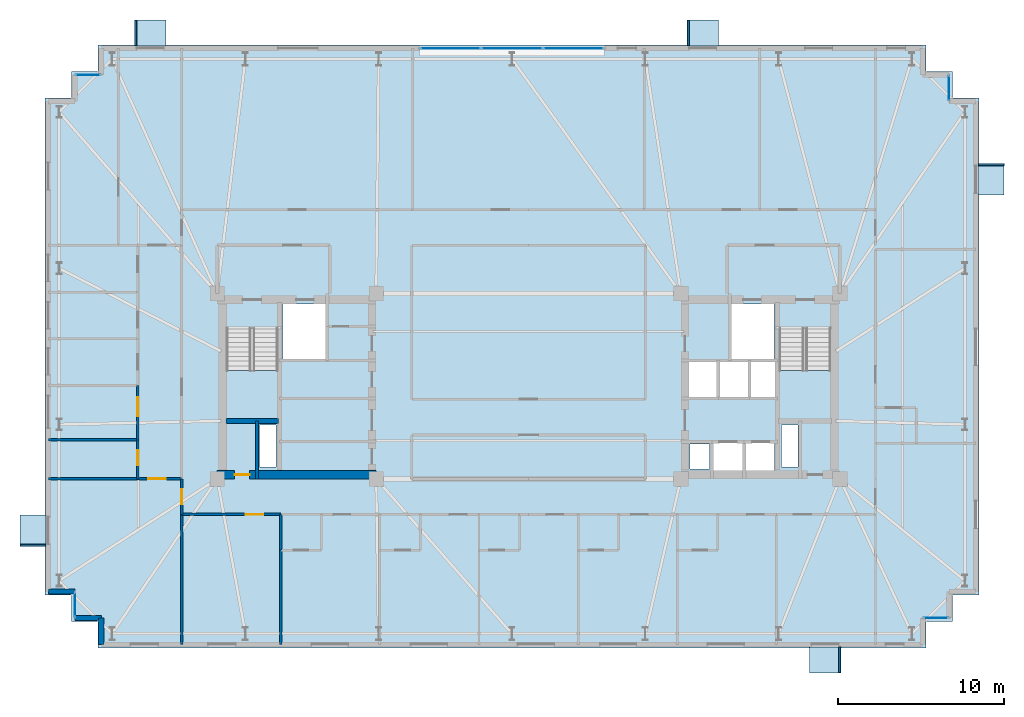
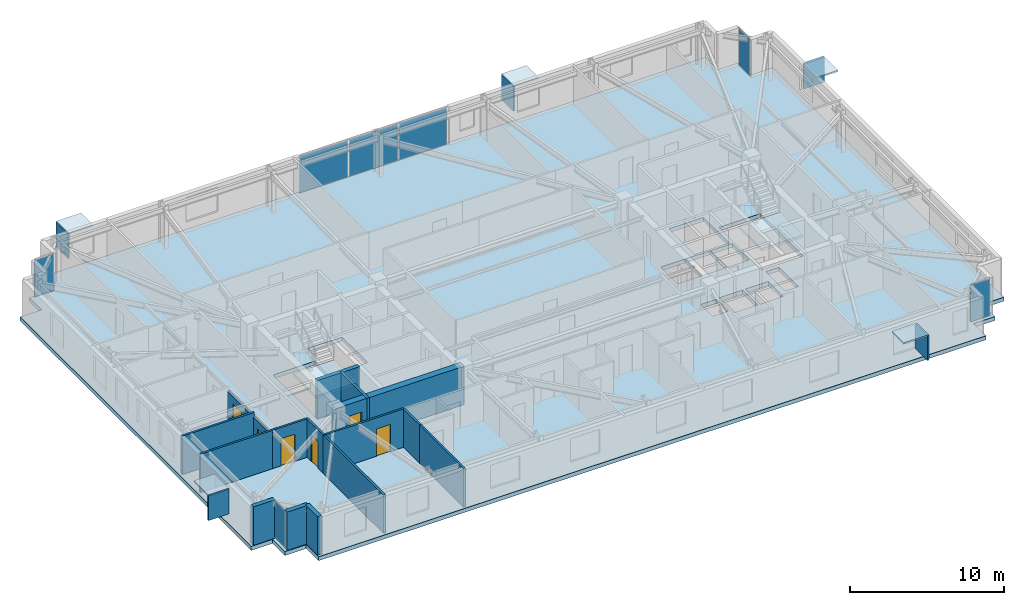
# One storey, part 11 of 18: 17 plates, 16 walls, 6 doors, 3 slabs, 6 openings, 7 elements without a shape of their own.
"""IFC4 building model written with IfcOpenShell, lengths in metres."""

import ifcopenshell
import ifcopenshell.guid

model = None  # the IFC model being written
_history = None  # IfcOwnerHistory: only IFC2X3 demands one
_inside = {}  # id of a spatial element -> (the spatial element, [elements in it])
_under = {}  # id of a project, library or spatial element -> (it, [spatial elements below it])
_declared = {}  # id of a project -> (the project, [libraries it declares])
_typed = {}  # id of a type object -> (the type object, [elements of that type])
_made_of = {}  # id of a material, layer set ... -> (it, [elements and type objects made of it])


def new_model(schema):
    """Start an empty IFC model of exactly this schema.

    Asked for "IFC4X3", IfcOpenShell would pick the latest addendum, in which some entities
    have other attributes; the version numbers below select the first issue.
    IFC2X3 requires an IfcOwnerHistory on every rooted entity: one is made here for all.
    """
    global model, _history
    if schema == "IFC4X3":
        model = ifcopenshell.file(schema_version=(4, 3, 0, 0))
    else:
        model = ifcopenshell.file(schema=schema)
    _inside.clear()
    _under.clear()
    _declared.clear()
    _typed.clear()
    _made_of.clear()
    _history = None
    if model.schema == "IFC2X3":
        org = make("IfcOrganization", Name="unknown")
        user = make(
            "IfcPersonAndOrganization",
            ThePerson=make("IfcPerson", FamilyName="unknown"),
            TheOrganization=org,
        )
        app = make(
            "IfcApplication",
            ApplicationDeveloper=org,
            Version="unknown",
            ApplicationFullName="unknown",
            ApplicationIdentifier="unknown",
        )
        _history = make(
            "IfcOwnerHistory",
            OwningUser=user,
            OwningApplication=app,
            ChangeAction="ADDED",
            CreationDate=0,
        )
    return model


def make(cls, **values):
    """One entity of the class cls with the attributes given. An attribute that is None is left unset."""
    return model.create_entity(
        cls, **{name: value for name, value in values.items() if value is not None}
    )


def rooted(cls, **values):
    """An entity with a GlobalId (a new one), such as an element, a storey or a relation."""
    return make(cls, GlobalId=ifcopenshell.guid.new(), OwnerHistory=_history, **values)


def si_unit(unit_type, name, prefix=None):
    """IfcSIUnit, for example si_unit("LENGTHUNIT", "METRE", prefix="MILLI")."""
    return make("IfcSIUnit", UnitType=unit_type, Prefix=prefix, Name=name)


def assignment(units):
    """IfcUnitAssignment: the units of a project."""
    return None if units is None else make("IfcUnitAssignment", Units=units)


def point(xyz):
    """IfcCartesianPoint."""
    return None if xyz is None else make("IfcCartesianPoint", Coordinates=xyz)


def direction(xyz):
    """IfcDirection."""
    return None if xyz is None else make("IfcDirection", DirectionRatios=xyz)


def frame(location, z_axis=None, x_axis=None):
    """IfcAxis2Placement3D, a coordinate frame: its origin and axes. An axis left out is left unset."""
    return make(
        "IfcAxis2Placement3D",
        Location=point(location),
        Axis=direction(z_axis),
        RefDirection=direction(x_axis),
    )


def frame_2d(location, x_axis=None):
    """IfcAxis2Placement2D, a coordinate frame in the plane: its origin and x axis."""
    return make(
        "IfcAxis2Placement2D", Location=point(location), RefDirection=direction(x_axis)
    )


def origin():
    """The frame at (0, 0, 0) with its axes left unset."""
    return frame((0.0, 0.0, 0.0))


def origin_2d():
    """The frame at (0, 0) in the plane with its x axis left unset."""
    return frame_2d((0.0, 0.0))


def place(relative_to, where):
    """IfcLocalPlacement: puts the frame where relative to a parent placement (None: the world)."""
    return make(
        "IfcLocalPlacement", PlacementRelTo=relative_to, RelativePlacement=where
    )


def context(
    kind, dimensions, precision=None, world=None, true_north=None, identifier=None
):
    """IfcGeometricRepresentationContext, for example the 3D "Model" context."""
    return make(
        "IfcGeometricRepresentationContext",
        ContextIdentifier=identifier,
        ContextType=kind,
        CoordinateSpaceDimension=dimensions,
        Precision=precision,
        WorldCoordinateSystem=world,
        TrueNorth=true_north,
    )


def subcontext(parent, identifier, kind, view, scale=None):
    """IfcGeometricRepresentationSubContext, for example "Body" below "Model"."""
    return make(
        "IfcGeometricRepresentationSubContext",
        ContextIdentifier=identifier,
        ContextType=kind,
        ParentContext=parent,
        TargetScale=scale,
        TargetView=view,
    )


def project(units=None, contexts=None):
    """IfcProject with its units and contexts."""
    return rooted(
        "IfcProject",
        Name="project",
        RepresentationContexts=contexts,
        UnitsInContext=assignment(units),
    )


def spatial(cls, under=None, at=None, **own):
    """A site, building, storey or space (cls), placed at a placement, below another one or the project."""
    s = rooted(cls, ObjectPlacement=at, **own)
    if under is not None:
        _under.setdefault(under.id(), (under, []))[1].append(s)
    return s


def polyline(points):
    """IfcPolyline through the points."""
    return make("IfcPolyline", Points=[point(p) for p in points])


def profile(cls, at=None, kind="AREA", **sizes):
    """A parametric profile (cls). Its sizes go by their IFC names, for example OverallWidth=200.0."""
    return make(cls, ProfileType=kind, Position=at, **sizes)


def rectangle(**sizes):
    """IfcRectangleProfileDef."""
    return profile("IfcRectangleProfileDef", **sizes)


def outline(outer, holes=None, kind="AREA"):
    """IfcArbitraryClosedProfileDef: a profile drawn as a closed curve; with holes, ...WithVoids."""
    if holes is None:
        return make("IfcArbitraryClosedProfileDef", ProfileType=kind, OuterCurve=outer)
    return make(
        "IfcArbitraryProfileDefWithVoids",
        ProfileType=kind,
        OuterCurve=outer,
        InnerCurves=holes,
    )


def extrude(swept, where, along, depth):
    """IfcExtrudedAreaSolid: the profile swept, set in the frame where, extruded along a direction by depth."""
    return make(
        "IfcExtrudedAreaSolid",
        SweptArea=swept,
        Position=where,
        ExtrudedDirection=direction(along),
        Depth=depth,
    )


def shape(context_of_items, identifier, shape_type, items):
    """IfcShapeRepresentation: the items that make up one representation, for example the "Body"."""
    return make(
        "IfcShapeRepresentation",
        ContextOfItems=context_of_items,
        RepresentationIdentifier=identifier,
        RepresentationType=shape_type,
        Items=items,
    )


def material(Name=None, Category=None):
    """IfcMaterial."""
    return make("IfcMaterial", Name=Name, Category=Category)


def layer(
    of_material, thickness, ventilated=None, Name=None, Category=None, Priority=None
):
    """IfcMaterialLayer: one layer of a wall or slab, of a material (None: an air gap)."""
    return make(
        "IfcMaterialLayer",
        Material=of_material,
        LayerThickness=thickness,
        IsVentilated=ventilated,
        Name=Name,
        Category=Category,
        Priority=Priority,
    )


def layer_set(layers, Name=None):
    """IfcMaterialLayerSet."""
    return make("IfcMaterialLayerSet", MaterialLayers=layers, LayerSetName=Name)


def made_of(thing, what):
    """Note that an element or type object is made of a material, layer set ...; save() writes the relation."""
    if what is not None:
        _made_of.setdefault(what.id(), (what, []))[1].append(thing)
    return thing


def type_object(cls, material=None, **own):
    """A type object (cls), such as IfcWallType, which elements share."""
    return made_of(rooted(cls, **own), material)


def element(
    cls,
    number,
    at=None,
    inside=None,
    cuts=None,
    type_object=None,
    material=None,
    context=None,
    identifier="Body",
    shape_type=None,
    held_by="IfcProductDefinitionShape",
    body=None,
    shapes=None,
    **own,
):
    """One element of the class cls, such as IfcWall. Its Tag is "e" and its number.

    at: its placement. inside: the storey or other place that contains it. cuts: it is an
    opening in that element (IfcRelVoidsElement). A single representation is given by context,
    identifier, shape_type and body (its items); several are given by shapes. held_by: the class
    of the entity that holds the representations. save() writes the other relations.
    """
    e = rooted(cls, Tag="e%d" % number, ObjectPlacement=at, **own)
    if body is not None:
        shapes = [shape(context, identifier, shape_type, body)]
    if shapes is not None:
        e.Representation = make(held_by, Representations=shapes)
    if inside is not None:
        _inside.setdefault(inside.id(), (inside, []))[1].append(e)
    if cuts is not None:
        rooted(
            "IfcRelVoidsElement", RelatingBuildingElement=cuts, RelatedOpeningElement=e
        )
    if type_object is not None:
        _typed.setdefault(type_object.id(), (type_object, []))[1].append(e)
    return made_of(e, material)


def fill(opening, filler):
    """IfcRelFillsElement: the door or window that sits in an opening."""
    return rooted(
        "IfcRelFillsElement",
        RelatingOpeningElement=opening,
        RelatedBuildingElement=filler,
    )


def aggregate(whole, parts):
    """IfcRelAggregates: a whole, such as a stair, and the parts it consists of."""
    return rooted("IfcRelAggregates", RelatingObject=whole, RelatedObjects=parts)


def save(model, path):
    """Write the relations noted so far, then the file.

    IfcRelAggregates (storeys below a building ...), IfcRelContainedInSpatialStructure (elements
    in a storey), IfcRelDefinesByType, IfcRelAssociatesMaterial and IfcRelDeclares: one each for
    every whole, place, type object, material and project.
    """
    for whole, parts in _under.values():
        aggregate(whole, parts)
    for where, things in _inside.values():
        rooted(
            "IfcRelContainedInSpatialStructure",
            RelatedElements=things,
            RelatingStructure=where,
        )
    for kind, things in _typed.values():
        rooted("IfcRelDefinesByType", RelatedObjects=things, RelatingType=kind)
    for what, things in _made_of.values():
        rooted("IfcRelAssociatesMaterial", RelatedObjects=things, RelatingMaterial=what)
    for by, libraries in _declared.values():
        rooted("IfcRelDeclares", RelatingContext=by, RelatedDefinitions=libraries)
    model.write(path)


model = new_model("IFC4")

# Units and contexts
model_context = context("Model", 3, precision=1e-05, world=origin(), true_north=direction((0.0, 1.0)))
body_context = subcontext(model_context, "Body", "Model", "MODEL_VIEW")
ifc_project = project(units=[si_unit("LENGTHUNIT", "METRE"), si_unit("AREAUNIT", "SQUARE_METRE"), si_unit("VOLUMEUNIT", "CUBIC_METRE"), si_unit("PLANEANGLEUNIT", "RADIAN"), si_unit("MASSUNIT", "GRAM", prefix="KILO")], contexts=[model_context])

# Site, building, storey
site_placement = place(None, origin())
site = spatial("IfcSite", under=ifc_project, at=site_placement, CompositionType="ELEMENT")
building_placement = place(site_placement, origin())
building = spatial("IfcBuilding", under=site, at=building_placement, Name="Qobustan Lattice House", CompositionType="ELEMENT")
storey_placement = place(building_placement, frame((0.0, 0.0, 147.75)))
storey = spatial("IfcBuildingStorey", under=building, at=storey_placement, Name="L41", CompositionType="ELEMENT", Elevation=147.75)

# Curtain wall, plate
ifc_material_1 = material(Name="Anodised aluminium and low-E glazing", Category="aluminium")
ifc_layer_1 = layer(ifc_material_1, 0.219970703125)
ifc_layer_set_1 = layer_set([ifc_layer_1], Name="Anodised aluminium and low-E glazing")
curtain_wall_type_1 = type_object("IfcCurtainWallType", Name="CW-FAC-02", PredefinedType="USERDEFINED", material=ifc_layer_set_1)
curtain_wall_1_placement = place(storey_placement, origin())
curtain_wall_1 = element("IfcCurtainWall", 1, at=curtain_wall_1_placement, inside=storey, type_object=curtain_wall_type_1, Name="L41 serrated corner faceted glazing 3", ObjectType="CURTAIN WALL", PredefinedType="USERDEFINED")
ifc_material_2 = material(Name="Clear low-E laminated glass", Category="glass")
ifc_layer_2 = layer(ifc_material_2, 0.031982421875)
ifc_layer_set_2 = layer_set([ifc_layer_2], Name="Clear low-E laminated glass")
plate_type_1 = type_object("IfcPlateType", Name="CWP-VISION-32", PredefinedType="CURTAIN_PANEL", material=ifc_layer_set_2)
plate_1_placement = place(storey_placement, frame((-27.39990234375, -13.199951171875, 0.06494140625), z_axis=(0.0, 0.0, 1.0), x_axis=(0.0, 1.0, 0.0)))
plate_1 = element("IfcPlate", 2, at=plate_1_placement, type_object=plate_type_1, Name="CW-F2 panel 1.1", PredefinedType="CURTAIN_PANEL", context=body_context, shape_type="SweptSolid", body=[
    extrude(rectangle(XDim=1.4599609375, YDim=0.031982421875, at=origin_2d()), origin(), (0.0, 0.0, 1.0), 2.909912109375),
])
aggregate(curtain_wall_1, [plate_1])

curtain_wall_2_placement = place(storey_placement, origin())
curtain_wall_2 = element("IfcCurtainWall", 3, at=curtain_wall_2_placement, inside=storey, type_object=curtain_wall_type_1, Name="L41 serrated corner faceted glazing 8", ObjectType="CURTAIN WALL", PredefinedType="USERDEFINED")
plate_2_placement = place(storey_placement, frame((-26.60009765625, 18.800048828125, 0.06494140625), z_axis=(0.0, 0.0, 1.0), x_axis=(1.0, 0.0, 0.0)))
plate_2 = element("IfcPlate", 4, at=plate_2_placement, type_object=plate_type_1, Name="CW-F2 panel 1.1", PredefinedType="CURTAIN_PANEL", context=body_context, shape_type="SweptSolid", body=[
    extrude(rectangle(XDim=1.4599609375, YDim=0.031982421875, at=origin_2d()), origin(), (0.0, 0.0, 1.0), 2.909912109375),
])
aggregate(curtain_wall_2, [plate_2])

# Curtain wall, plates
ifc_material_3 = material(Name="Anodised aluminium and low-E glazing", Category="aluminium")
ifc_layer_3 = layer(ifc_material_3, 0.219970703125)
ifc_layer_set_3 = layer_set([ifc_layer_3], Name="Anodised aluminium and low-E glazing")
curtain_wall_type_2 = type_object("IfcCurtainWallType", Name="CW-IWN-01", PredefinedType="USERDEFINED", material=ifc_layer_set_3)
curtain_wall_3_placement = place(storey_placement, origin())
curtain_wall_3 = element("IfcCurtainWall", 5, at=curtain_wall_3_placement, inside=storey, type_object=curtain_wall_type_2, Name="L41 IWAN-3 walnut-lined iwan curtain wall", ObjectType="CURTAIN WALL", PredefinedType="USERDEFINED")
plate_3_placement = place(storey_placement, frame((-4.71337890625, 20.39990234375, 0.06494140625), z_axis=(0.0, 0.0, 1.0), x_axis=(1.0, 0.0, 0.0)))
plate_3 = element("IfcPlate", 6, at=plate_3_placement, type_object=plate_type_1, Name="CW-IW panel 1.1", PredefinedType="CURTAIN_PANEL", context=body_context, shape_type="SweptSolid", body=[
    extrude(rectangle(XDim=3.61328125, YDim=0.031982421875, at=origin_2d()), origin(), (0.0, 0.0, 1.0), 2.909912109375),
])
plate_4_placement = place(storey_placement, frame((-1.0, 20.39990234375, 0.06494140625), z_axis=(0.0, 0.0, 1.0), x_axis=(1.0, 0.0, 0.0)))
plate_4 = element("IfcPlate", 7, at=plate_4_placement, type_object=plate_type_1, Name="CW-IW panel 2.1", PredefinedType="CURTAIN_PANEL", context=body_context, shape_type="SweptSolid", body=[
    extrude(rectangle(XDim=3.6533203125, YDim=0.031982421875, at=origin_2d()), origin(), (0.0, 0.0, 1.0), 2.909912109375),
])
plate_5_placement = place(storey_placement, frame((2.71337890625, 20.39990234375, 0.06494140625), z_axis=(0.0, 0.0, 1.0), x_axis=(1.0, 0.0, 0.0)))
plate_5 = element("IfcPlate", 8, at=plate_5_placement, type_object=plate_type_1, Name="CW-IW panel 3.1", PredefinedType="CURTAIN_PANEL", context=body_context, shape_type="SweptSolid", body=[
    extrude(rectangle(XDim=3.61328125, YDim=0.031982421875, at=origin_2d()), origin(), (0.0, 0.0, 1.0), 2.909912109375),
])
aggregate(curtain_wall_3, [plate_3, plate_4, plate_5])

# Curtain wall, plate
curtain_wall_4_placement = place(storey_placement, origin())
curtain_wall_4 = element("IfcCurtainWall", 9, at=curtain_wall_4_placement, inside=storey, type_object=curtain_wall_type_1, Name="L41 serrated corner faceted glazing 13", ObjectType="CURTAIN WALL", PredefinedType="USERDEFINED")
plate_6_placement = place(storey_placement, frame((25.39990234375, 18.0, 0.06494140625), z_axis=(0.0, 0.0, 1.0), x_axis=(0.0, -1.0, 0.0)))
plate_6 = element("IfcPlate", 10, at=plate_6_placement, type_object=plate_type_1, Name="CW-F2 panel 1.1", PredefinedType="CURTAIN_PANEL", context=body_context, shape_type="SweptSolid", body=[
    extrude(rectangle(XDim=1.4599609375, YDim=0.031982421875, at=origin_2d()), origin(), (0.0, 0.0, 1.0), 2.909912109375),
])
aggregate(curtain_wall_4, [plate_6])

curtain_wall_5_placement = place(storey_placement, origin())
curtain_wall_5 = element("IfcCurtainWall", 11, at=curtain_wall_5_placement, inside=storey, type_object=curtain_wall_type_1, Name="L41 serrated corner faceted glazing 18", ObjectType="CURTAIN WALL", PredefinedType="USERDEFINED")
plate_7_placement = place(storey_placement, frame((24.60009765625, -14.0, 0.06494140625), z_axis=(0.0, 0.0, 1.0), x_axis=(-1.0, 0.0, 0.0)))
plate_7 = element("IfcPlate", 12, at=plate_7_placement, type_object=plate_type_1, Name="CW-F2 panel 1.1", PredefinedType="CURTAIN_PANEL", context=body_context, shape_type="SweptSolid", body=[
    extrude(rectangle(XDim=1.4599609375, YDim=0.031982421875, at=origin_2d()), origin(), (0.0, 0.0, 1.0), 2.909912109375),
])
aggregate(curtain_wall_5, [plate_7])

# Plates
ifc_material_4 = material(Name="Qobustan limestone GFRC", Category="masonry")
ifc_layer_4 = layer(ifc_material_4, 0.1201171875)
ifc_layer_set_4 = layer_set([ifc_layer_4], Name="Qobustan limestone GFRC")
plate_type_2 = type_object("IfcPlateType", Name="SHD-HOOD-BROW", PredefinedType="USERDEFINED", material=ifc_layer_set_4)
plate_8_placement = place(storey_placement, frame((-29.929931640625, -8.719970703125, 2.699951171875), z_axis=(0.0, 0.0, 1.0), x_axis=(0.0, 1.0, 0.0)))
element("IfcPlate", 13, at=plate_8_placement, inside=storey, type_object=plate_type_2, Name="L41 splayed Qobustan stone hood brow", ObjectType="SUNSHADE", PredefinedType="USERDEFINED", context=body_context, shape_type="SweptSolid", body=[
    extrude(rectangle(XDim=1.889892578125, YDim=1.56005859375, at=origin_2d()), origin(), (0.0, 0.0, 1.0), 0.1201171875),
])
plate_9_placement = place(storey_placement, frame((-29.929931640625, -9.60498046875, 0.7900390625), z_axis=(0.0, 0.0, 1.0), x_axis=(0.0, 1.0, 0.0)))
element("IfcPlate", 14, at=plate_9_placement, inside=storey, type_object=plate_type_2, Name="L41 splayed Qobustan stone hood cheek", ObjectType="SUNSHADE", PredefinedType="USERDEFINED", context=body_context, shape_type="SweptSolid", body=[
    extrude(rectangle(XDim=0.1201171875, YDim=1.56005859375, at=origin_2d()), origin(), (0.0, 0.0, 1.0), 1.969970703125),
])
plate_10_placement = place(storey_placement, frame((-22.840087890625, 21.330078125, 2.699951171875), z_axis=(0.0, 0.0, 1.0), x_axis=(1.0, 0.0, 0.0)))
element("IfcPlate", 15, at=plate_10_placement, inside=storey, type_object=plate_type_2, Name="L41 splayed Qobustan stone hood brow", ObjectType="SUNSHADE", PredefinedType="USERDEFINED", context=body_context, shape_type="SweptSolid", body=[
    extrude(rectangle(XDim=1.889892578125, YDim=1.56005859375, at=origin_2d()), origin(), (0.0, 0.0, 1.0), 0.1201171875),
])
plate_11_placement = place(storey_placement, frame((-23.72509765625, 21.330078125, 0.7900390625), z_axis=(0.0, 0.0, 1.0), x_axis=(1.0, 0.0, 0.0)))
element("IfcPlate", 16, at=plate_11_placement, inside=storey, type_object=plate_type_2, Name="L41 splayed Qobustan stone hood cheek", ObjectType="SUNSHADE", PredefinedType="USERDEFINED", context=body_context, shape_type="SweptSolid", body=[
    extrude(rectangle(XDim=0.1201171875, YDim=1.56005859375, at=origin_2d()), origin(), (0.0, 0.0, 1.0), 1.969970703125),
])
plate_12_placement = place(storey_placement, frame((10.52001953125, 21.330078125, 2.699951171875), z_axis=(0.0, 0.0, 1.0), x_axis=(1.0, 0.0, 0.0)))
element("IfcPlate", 17, at=plate_12_placement, inside=storey, type_object=plate_type_2, Name="L41 splayed Qobustan stone hood brow", ObjectType="SUNSHADE", PredefinedType="USERDEFINED", context=body_context, shape_type="SweptSolid", body=[
    extrude(rectangle(XDim=1.889892578125, YDim=1.56005859375, at=origin_2d()), origin(), (0.0, 0.0, 1.0), 0.1201171875),
])
plate_13_placement = place(storey_placement, frame((9.635009765625, 21.330078125, 0.7900390625), z_axis=(0.0, 0.0, 1.0), x_axis=(1.0, 0.0, 0.0)))
element("IfcPlate", 18, at=plate_13_placement, inside=storey, type_object=plate_type_2, Name="L41 splayed Qobustan stone hood cheek", ObjectType="SUNSHADE", PredefinedType="USERDEFINED", context=body_context, shape_type="SweptSolid", body=[
    extrude(rectangle(XDim=0.1201171875, YDim=1.56005859375, at=origin_2d()), origin(), (0.0, 0.0, 1.0), 1.969970703125),
])
plate_14_placement = place(storey_placement, frame((27.929931640625, 12.47998046875, 2.699951171875), z_axis=(0.0, 0.0, 1.0), x_axis=(0.0, -1.0, 0.0)))
element("IfcPlate", 19, at=plate_14_placement, inside=storey, type_object=plate_type_2, Name="L41 splayed Qobustan stone hood brow", ObjectType="SUNSHADE", PredefinedType="USERDEFINED", context=body_context, shape_type="SweptSolid", body=[
    extrude(rectangle(XDim=1.889892578125, YDim=1.56005859375, at=origin_2d()), origin(), (0.0, 0.0, 1.0), 0.1201171875),
])
plate_15_placement = place(storey_placement, frame((27.929931640625, 13.364990234375, 0.7900390625), z_axis=(0.0, 0.0, 1.0), x_axis=(0.0, -1.0, 0.0)))
element("IfcPlate", 20, at=plate_15_placement, inside=storey, type_object=plate_type_2, Name="L41 splayed Qobustan stone hood cheek", ObjectType="SUNSHADE", PredefinedType="USERDEFINED", context=body_context, shape_type="SweptSolid", body=[
    extrude(rectangle(XDim=0.1201171875, YDim=1.56005859375, at=origin_2d()), origin(), (0.0, 0.0, 1.0), 1.969970703125),
])
plate_16_placement = place(storey_placement, frame((17.919921875, -16.530029296875, 2.699951171875), z_axis=(0.0, 0.0, 1.0), x_axis=(-1.0, 0.0, 0.0)))
element("IfcPlate", 21, at=plate_16_placement, inside=storey, type_object=plate_type_2, Name="L41 splayed Qobustan stone hood brow", ObjectType="SUNSHADE", PredefinedType="USERDEFINED", context=body_context, shape_type="SweptSolid", body=[
    extrude(rectangle(XDim=1.889892578125, YDim=1.56005859375, at=origin_2d()), origin(), (0.0, 0.0, 1.0), 0.1201171875),
])
plate_17_placement = place(storey_placement, frame((18.804931640625, -16.530029296875, 0.7900390625), z_axis=(0.0, 0.0, 1.0), x_axis=(-1.0, 0.0, 0.0)))
element("IfcPlate", 22, at=plate_17_placement, inside=storey, type_object=plate_type_2, Name="L41 splayed Qobustan stone hood cheek", ObjectType="SUNSHADE", PredefinedType="USERDEFINED", context=body_context, shape_type="SweptSolid", body=[
    extrude(rectangle(XDim=0.1201171875, YDim=1.56005859375, at=origin_2d()), origin(), (0.0, 0.0, 1.0), 1.969970703125),
])

# Slab
ifc_material_5 = material(Name="Concrete C40/50", Category="concrete")
ifc_layer_5 = layer(ifc_material_5, 0.31005859375)
ifc_layer_set_5 = layer_set([ifc_layer_5], Name="Concrete C40/50")
slab_type_1 = type_object("IfcSlabType", Name="SLB-FLR-310", PredefinedType="FLOOR", material=ifc_layer_set_5)
slab_1_placement = place(storey_placement, frame((0.0, 0.0, -0.31005859375)))
element("IfcSlab", 23, at=slab_1_placement, inside=storey, type_object=slab_type_1, Name="L41 structural floor slab", PredefinedType="FLOOR", context=body_context, shape_type="SweptSolid", body=[
    extrude(outline(polyline([(-26.0, -15.800048828125), (24.0, -15.800048828125), (24.0, -14.199951171875), (25.60009765625, -14.199951171875), (25.60009765625, -12.60009765625), (27.199951171875, -12.60009765625), (27.199951171875, 17.39990234375), (25.60009765625, 17.39990234375), (25.60009765625, 19.0), (24.0, 19.0), (24.0, 20.60009765625), (-26.0, 20.60009765625), (-26.0, 19.0), (-27.60009765625, 19.0), (-27.60009765625, 17.39990234375), (-29.199951171875, 17.39990234375), (-29.199951171875, -12.60009765625), (-27.60009765625, -12.60009765625), (-27.60009765625, -14.199951171875), (-26.0, -14.199951171875), (-26.0, -15.800048828125)]), holes=[polyline([(-18.25, -2.050048828125), (-18.25, 3.489990234375), (-15.1298828125, 3.489990234375), (-15.1298828125, -2.050048828125), (-18.25, -2.050048828125)]), polyline([(15.1298828125, -2.050048828125), (15.1298828125, 3.489990234375), (18.25, 3.489990234375), (18.25, -2.050048828125), (15.1298828125, -2.050048828125)]), polyline([(-14.820068359375, 1.64990234375), (-14.820068359375, 4.9599609375), (-12.25, 4.9599609375), (-12.25, 1.64990234375), (-14.820068359375, 1.64990234375)]), polyline([(12.25, 1.64990234375), (12.25, 4.9599609375), (14.820068359375, 4.9599609375), (14.820068359375, 1.64990234375), (12.25, 1.64990234375)]), polyline([(-16.260009765625, -4.8798828125), (-16.260009765625, -2.360107421875), (-15.260009765625, -2.360107421875), (-15.260009765625, -4.8798828125), (-16.260009765625, -4.8798828125)]), polyline([(15.260009765625, -4.8798828125), (15.260009765625, -2.360107421875), (16.260009765625, -2.360107421875), (16.260009765625, -4.8798828125), (15.260009765625, -4.8798828125)]), polyline([(11.179931640625, -5.35009765625), (11.179931640625, -3.419921875), (12.919921875, -3.419921875), (12.919921875, -5.35009765625), (11.179931640625, -5.35009765625)]), polyline([(13.1201171875, -5.35009765625), (13.1201171875, -3.419921875), (14.85009765625, -3.419921875), (14.85009765625, -5.35009765625), (13.1201171875, -5.35009765625)]), polyline([(9.760009765625, -5.0), (9.760009765625, -3.47998046875), (10.93994140625, -3.47998046875), (10.93994140625, -5.0), (9.760009765625, -5.0)]), polyline([(13.360107421875, -0.679931640625), (13.360107421875, 1.47998046875), (14.97998046875, 1.47998046875), (14.97998046875, -0.679931640625), (13.360107421875, -0.679931640625)]), polyline([(9.6201171875, -0.679931640625), (9.6201171875, 1.47998046875), (11.43994140625, 1.47998046875), (11.43994140625, -0.679931640625), (9.6201171875, -0.679931640625)]), polyline([(11.5, -0.679931640625), (11.5, 1.47998046875), (13.320068359375, 1.47998046875), (13.320068359375, -0.679931640625), (11.5, -0.679931640625)])]), origin(), (0.0, 0.0, 1.0), 0.31005859375),
])

# Stair, slab
ifc_material_6 = material(Name="Concrete C40/50", Category="concrete")
stair_type = type_object("IfcStairType", Name="STR-CORE-DOGLEG", PredefinedType="HALF_TURN_STAIR", material=ifc_material_6)
stair_1_placement = place(storey_placement, origin())
stair_1 = element("IfcStair", 24, at=stair_1_placement, inside=storey, type_object=stair_type, Name="L41 West protected exit stair ST-W1", PredefinedType="HALF_TURN_STAIR")
ifc_material_7 = material(Name="Concrete C40/50", Category="concrete")
ifc_layer_6 = layer(ifc_material_7, 0.199951171875)
ifc_layer_set_6 = layer_set([ifc_layer_6], Name="Concrete C40/50")
slab_type_2 = type_object("IfcSlabType", Name="SLB-LANDING-200", PredefinedType="LANDING", material=ifc_layer_set_6)
slab_2_placement = place(storey_placement, frame((0.0, 0.0, 1.47509765625)))
slab_2 = element("IfcSlab", 25, at=slab_2_placement, type_object=slab_type_2, Name="ST-W1 landing 1", PredefinedType="LANDING", context=body_context, shape_type="SweptSolid", body=[
    extrude(outline(polyline([(-18.25, 0.93505859375), (-18.25, -2.050048828125), (-15.1298828125, -2.050048828125), (-15.1298828125, 0.93505859375), (-18.25, 0.93505859375)])), origin(), (0.0, 0.0, 1.0), 0.199951171875),
])
aggregate(stair_1, [slab_2])

stair_2_placement = place(storey_placement, origin())
stair_2 = element("IfcStair", 26, at=stair_2_placement, inside=storey, type_object=stair_type, Name="L41 East protected exit stair ST-E1", PredefinedType="HALF_TURN_STAIR")
slab_3_placement = place(storey_placement, frame((0.0, 0.0, 1.47509765625)))
slab_3 = element("IfcSlab", 27, at=slab_3_placement, type_object=slab_type_2, Name="ST-E1 landing 1", PredefinedType="LANDING", context=body_context, shape_type="SweptSolid", body=[
    extrude(outline(polyline([(15.1298828125, 0.93505859375), (15.1298828125, -2.050048828125), (18.25, -2.050048828125), (18.25, 0.93505859375), (15.1298828125, 0.93505859375)])), origin(), (0.0, 0.0, 1.0), 0.199951171875),
])
aggregate(stair_2, [slab_3])

# Wall, opening, door
ifc_material_8 = material(Name="Concrete C50/60", Category="concrete")
ifc_layer_7 = layer(ifc_material_8, 0.5)
ifc_layer_set_7 = layer_set([ifc_layer_7], Name="Concrete C50/60")
wall_type_1 = type_object("IfcWallType", Name="WAL-CORE-500", PredefinedType="SHEAR", material=ifc_layer_set_7)
wall_1_placement = place(storey_placement, frame((-18.800048828125, -5.35009765625, 0.0), z_axis=(0.0, 0.0, 1.0), x_axis=(1.0, 0.0, 0.0)))
wall_1 = element("IfcWall", 28, at=wall_1_placement, inside=storey, type_object=wall_type_1, Name="L41 split-core shear wall CW-S", PredefinedType="SHEAR", context=body_context, shape_type="SweptSolid", body=[
    extrude(rectangle(XDim=9.60009765625, YDim=0.5, at=frame_2d((4.800048828125, 0.0))), origin(), (0.0, 0.0, 1.0), 3.0400390625),
])
opening_1_placement = place(wall_1_placement, frame((1.050048828125, 0.0, 0.0)))
opening_1 = element("IfcOpeningElement", 29, at=opening_1_placement, cuts=wall_1, Name="Opening RD-01", PredefinedType="OPENING", context=body_context, shape_type="SweptSolid", body=[
    extrude(rectangle(XDim=0.89990234375, YDim=2.10009765625, at=frame_2d((0.449951171875, 1.050048828125))), frame((0.0, 0.260009765625, 0.0), z_axis=(0.0, -1.0, 0.0), x_axis=(1.0, 0.0, 0.0)), (0.0, 0.0, 1.0), 0.52001953125),
])
ifc_material_9 = material(Name="Persian walnut timber and steel frame door", Category="steel")
door_type_1 = type_object("IfcDoorType", Name="DOR-RISER-FD-900x2100", OperationType="NOTDEFINED", PredefinedType="DOOR", material=ifc_material_9)
door_1_placement = place(opening_1_placement, origin())
door_1 = element("IfcDoor", 30, at=door_1_placement, inside=storey, type_object=door_type_1, Name="L41 core service riser access door W", OperationType="SINGLE_SWING_LEFT", OverallHeight=2.10009765625, OverallWidth=0.89990234375, PredefinedType="DOOR", context=body_context, shape_type="SweptSolid", body=[
    extrude(rectangle(XDim=0.89990234375, YDim=2.10009765625, at=frame_2d((0.449951171875, 1.050048828125))), frame((0.0, 0.02490234375, 0.0), z_axis=(0.0, -1.0, 0.0), x_axis=(1.0, 0.0, 0.0)), (0.0, 0.0, 1.0), 0.050048828125),
])
fill(opening_1, door_1)

# Walls
ifc_material_10 = material(Name="Concrete C50/60", Category="concrete")
ifc_layer_8 = layer(ifc_material_10, 0.280029296875)
ifc_layer_set_8 = layer_set([ifc_layer_8], Name="Concrete C50/60")
wall_type_2 = type_object("IfcWallType", Name="WAL-CORE-SPINE-280", PredefinedType="SHEAR", material=ifc_layer_set_8)
wall_2_placement = place(storey_placement, frame((-18.280029296875, -2.110107421875, 0.0), z_axis=(0.0, 0.0, 1.0), x_axis=(1.0, 0.0, 0.0)))
element("IfcWall", 31, at=wall_2_placement, inside=storey, type_object=wall_type_2, Name="L41 split-core shear wall CW-ST", PredefinedType="SHEAR", context=body_context, shape_type="SweptSolid", body=[
    extrude(rectangle(XDim=3.179931640625, YDim=0.300048828125, at=frame_2d((1.58984375, 0.0))), origin(), (0.0, 0.0, 1.0), 3.0400390625),
])
ifc_material_11 = material(Name="Precast concrete C40/50", Category="concrete")
ifc_layer_9 = layer(ifc_material_11, 0.320068359375)
ifc_layer_set_9 = layer_set([ifc_layer_9], Name="Precast concrete C40/50")
wall_type_3 = type_object("IfcWallType", Name="WAL-EXT-STONE-320", PredefinedType="SOLIDWALL", material=ifc_layer_set_9)
wall_3_placement = place(storey_placement, frame((-25.800048828125, -15.60009765625, 0.0), z_axis=(0.0, 0.0, 1.0), x_axis=(0.0, 1.0, 0.0)))
element("IfcWall", 32, at=wall_3_placement, inside=storey, type_object=wall_type_3, Name="L41 exterior limestone-clad wall 1", PredefinedType="SOLIDWALL", context=body_context, shape_type="SweptSolid", body=[
    extrude(rectangle(XDim=1.60009765625, YDim=0.320068359375, at=frame_2d((0.800048828125, 0.0))), origin(), (0.0, 0.0, 1.0), 3.0400390625),
])
wall_4_placement = place(storey_placement, frame((-25.800048828125, -14.0, 0.0), z_axis=(0.0, 0.0, 1.0), x_axis=(-1.0, 0.0, 0.0)))
element("IfcWall", 33, at=wall_4_placement, inside=storey, type_object=wall_type_3, Name="L41 exterior limestone-clad wall 2", PredefinedType="SOLIDWALL", context=body_context, shape_type="SweptSolid", body=[
    extrude(rectangle(XDim=1.599853515625, YDim=0.320068359375, at=frame_2d((0.7998046875, 0.0))), origin(), (0.0, 0.0, 1.0), 3.0400390625),
])
wall_5_placement = place(storey_placement, frame((-27.39990234375, -12.39990234375, 0.0), z_axis=(0.0, 0.0, 1.0), x_axis=(-1.0, 0.0, 0.0)))
element("IfcWall", 34, at=wall_5_placement, inside=storey, type_object=wall_type_3, Name="L41 exterior limestone-clad wall 4", PredefinedType="SOLIDWALL", context=body_context, shape_type="SweptSolid", body=[
    extrude(rectangle(XDim=1.60009765625, YDim=0.320068359375, at=frame_2d((0.800048828125, 0.0))), origin(), (0.0, 0.0, 1.0), 3.0400390625),
])

# Wall, opening, door
ifc_material_12 = material(Name="Acoustic twin-stud gypsum partition", Category="gypsum")
ifc_layer_10 = layer(ifc_material_12, 0.14990234375)
ifc_layer_set_10 = layer_set([ifc_layer_10], Name="Acoustic twin-stud gypsum partition")
wall_type_4 = type_object("IfcWallType", Name="WAL-PART-150", PredefinedType="PARTITIONING", material=ifc_layer_set_10)
wall_6_placement = place(storey_placement, frame((-20.949951171875, -7.75, 0.0), z_axis=(0.0, 0.0, 1.0), x_axis=(0.0, 1.0, 0.0)))
wall_6 = element("IfcWall", 35, at=wall_6_placement, inside=storey, type_object=wall_type_4, Name="L41 interior partition 41", PredefinedType="PARTITIONING", context=body_context, shape_type="SweptSolid", body=[
    extrude(rectangle(XDim=2.14990234375, YDim=0.14990234375, at=frame_2d((1.074951171875, 0.0))), origin(), (0.0, 0.0, 1.0), 3.0400390625),
])
opening_2_placement = place(wall_6_placement, frame((0.625, 0.0, 0.0)))
opening_2 = element("IfcOpeningElement", 36, at=opening_2_placement, cuts=wall_6, Name="Opening WD-01", PredefinedType="OPENING", context=body_context, shape_type="SweptSolid", body=[
    extrude(rectangle(XDim=0.89990234375, YDim=2.10009765625, at=frame_2d((0.449951171875, 1.050048828125))), frame((0.0, 0.0849609375, 0.0), z_axis=(0.0, -1.0, 0.0), x_axis=(1.0, 0.0, 0.0)), (0.0, 0.0, 1.0), 0.169921875),
])
ifc_material_13 = material(Name="Persian walnut timber and steel frame door", Category="steel")
door_type_2 = type_object("IfcDoorType", Name="DOR-WET-900x2100", OperationType="NOTDEFINED", PredefinedType="DOOR", material=ifc_material_13)
door_2_placement = place(opening_2_placement, origin())
door_2 = element("IfcDoor", 37, at=door_2_placement, inside=storey, type_object=door_type_2, Name="L41 South-west floor corridor to Reading study room L41WS door", OperationType="SINGLE_SWING_RIGHT", OverallHeight=2.10009765625, OverallWidth=0.89990234375, PredefinedType="DOOR", context=body_context, shape_type="SweptSolid", body=[
    extrude(rectangle(XDim=0.89990234375, YDim=2.10009765625, at=frame_2d((0.449951171875, 1.050048828125))), frame((0.0, 0.02490234375, 0.0), z_axis=(0.0, -1.0, 0.0), x_axis=(1.0, 0.0, 0.0)), (0.0, 0.0, 1.0), 0.050048828125),
])
fill(opening_2, door_2)

wall_7_placement = place(storey_placement, frame((-14.964111328125, -7.75, 0.0), z_axis=(0.0, 0.0, 1.0), x_axis=(-1.0, 0.0, 0.0)))
wall_7 = element("IfcWall", 38, at=wall_7_placement, inside=storey, type_object=wall_type_4, Name="L41 interior partition 42", PredefinedType="PARTITIONING", context=body_context, shape_type="SweptSolid", body=[
    extrude(rectangle(XDim=5.98583984375, YDim=0.14990234375, at=frame_2d((2.992919921875, 0.0))), origin(), (0.0, 0.0, 1.0), 3.0400390625),
])
opening_3_placement = place(wall_7_placement, frame((1.052001953125, 0.0, 0.0)))
opening_3 = element("IfcOpeningElement", 39, at=opening_3_placement, cuts=wall_7, Name="Opening ID-02", PredefinedType="OPENING", context=body_context, shape_type="SweptSolid", body=[
    extrude(rectangle(XDim=1.050048828125, YDim=2.14990234375, at=frame_2d((0.52490234375, 1.074951171875))), frame((0.0, 0.0849609375, 0.0), z_axis=(0.0, -1.0, 0.0), x_axis=(1.0, 0.0, 0.0)), (0.0, 0.0, 1.0), 0.169921875),
])
ifc_material_14 = material(Name="Persian walnut timber and steel frame door", Category="steel")
door_type_3 = type_object("IfcDoorType", Name="DOR-STUDY-1050x2150", OperationType="NOTDEFINED", PredefinedType="DOOR", material=ifc_material_14)
door_3_placement = place(opening_3_placement, origin())
door_3 = element("IfcDoor", 40, at=door_3_placement, inside=storey, type_object=door_type_3, Name="L41 South-west floor corridor to Focus study room S1 door", OperationType="SINGLE_SWING_LEFT", OverallHeight=2.14990234375, OverallWidth=1.050048828125, PredefinedType="DOOR", context=body_context, shape_type="SweptSolid", body=[
    extrude(rectangle(XDim=1.050048828125, YDim=2.14990234375, at=frame_2d((0.52490234375, 1.074951171875))), frame((0.0, 0.02490234375, 0.0), z_axis=(0.0, -1.0, 0.0), x_axis=(1.0, 0.0, 0.0)), (0.0, 0.0, 1.0), 0.050048828125),
])
fill(opening_3, door_3)

wall_8_placement = place(storey_placement, frame((-20.949951171875, -5.60009765625, 0.0), z_axis=(0.0, 0.0, 1.0), x_axis=(-1.0, 0.0, 0.0)))
wall_8 = element("IfcWall", 41, at=wall_8_placement, inside=storey, type_object=wall_type_4, Name="L41 interior partition 69", PredefinedType="PARTITIONING", context=body_context, shape_type="SweptSolid", body=[
    extrude(rectangle(XDim=2.650146484375, YDim=0.14990234375, at=frame_2d((1.3251953125, 0.0))), origin(), (0.0, 0.0, 1.0), 3.0400390625),
])
opening_4_placement = place(wall_8_placement, frame((0.965087890625, 0.0, 0.0)))
opening_4 = element("IfcOpeningElement", 42, at=opening_4_placement, cuts=wall_8, Name="Opening ID-02", PredefinedType="OPENING", context=body_context, shape_type="SweptSolid", body=[
    extrude(rectangle(XDim=1.050048828125, YDim=2.14990234375, at=frame_2d((0.52490234375, 1.074951171875))), frame((0.0, 0.0849609375, 0.0), z_axis=(0.0, -1.0, 0.0), x_axis=(1.0, 0.0, 0.0)), (0.0, 0.0, 1.0), 0.169921875),
])
door_4_placement = place(opening_4_placement, origin())
door_4 = element("IfcDoor", 43, at=door_4_placement, inside=storey, type_object=door_type_3, Name="L41 Residence entrance hall L41W to Reading study room L41WS door", OperationType="SINGLE_SWING_RIGHT", OverallHeight=2.14990234375, OverallWidth=1.050048828125, PredefinedType="DOOR", context=body_context, shape_type="SweptSolid", body=[
    extrude(rectangle(XDim=1.050048828125, YDim=2.14990234375, at=frame_2d((0.52490234375, 1.074951171875))), frame((0.0, 0.02490234375, 0.0), z_axis=(0.0, -1.0, 0.0), x_axis=(1.0, 0.0, 0.0)), (0.0, 0.0, 1.0), 0.050048828125),
])
fill(opening_4, door_4)

# Walls
wall_9_placement = place(storey_placement, frame((-20.949951171875, -7.75, 0.0), z_axis=(0.0, 0.0, 1.0), x_axis=(0.0, -1.0, 0.0)))
element("IfcWall", 44, at=wall_9_placement, inside=storey, type_object=wall_type_4, Name="L41 interior partition 80", PredefinedType="PARTITIONING", context=body_context, shape_type="SweptSolid", body=[
    extrude(rectangle(XDim=7.85009765625, YDim=0.14990234375, at=frame_2d((3.925048828125, 0.0))), origin(), (0.0, 0.0, 1.0), 3.0400390625),
])
wall_10_placement = place(storey_placement, frame((-14.964111328125, -9.89990234375, 0.0), z_axis=(0.0, 0.0, 1.0), x_axis=(0.0, -1.0, 0.0)))
element("IfcWall", 45, at=wall_10_placement, inside=storey, type_object=wall_type_4, Name="L41 interior partition 95", PredefinedType="PARTITIONING", context=body_context, shape_type="SweptSolid", body=[
    extrude(rectangle(XDim=5.7001953125, YDim=0.14990234375, at=frame_2d((2.85009765625, 0.0))), origin(), (0.0, 0.0, 1.0), 3.0400390625),
])

# Wall, opening, door
ifc_material_15 = material(Name="High-mass acoustic twin-stud partition", Category="gypsum")
ifc_layer_11 = layer(ifc_material_15, 0.1650390625)
ifc_layer_set_11 = layer_set([ifc_layer_11], Name="High-mass acoustic twin-stud partition")
wall_type_5 = type_object("IfcWallType", Name="WAL-PART-165", PredefinedType="PARTITIONING", material=ifc_layer_set_11)
wall_11_placement = place(storey_placement, frame((-23.60009765625, -3.25, 0.0), z_axis=(0.0, 0.0, 1.0), x_axis=(0.0, 1.0, 0.0)))
wall_11 = element("IfcWall", 46, at=wall_11_placement, inside=storey, type_object=wall_type_5, Name="L41 interior partition 71", PredefinedType="PARTITIONING", context=body_context, shape_type="SweptSolid", body=[
    extrude(rectangle(XDim=3.2900390625, YDim=0.1650390625, at=frame_2d((1.64501953125, 0.0))), origin(), (0.0, 0.0, 1.0), 2.695068359375),
])
opening_5_placement = place(wall_11_placement, frame((1.4375, 0.0, 0.0)))
opening_5 = element("IfcOpeningElement", 47, at=opening_5_placement, cuts=wall_11, Name="Opening ID-03", PredefinedType="OPENING", context=body_context, shape_type="SweptSolid", body=[
    extrude(rectangle(XDim=1.14990234375, YDim=2.14990234375, at=frame_2d((0.574951171875, 1.074951171875))), frame((0.0, 0.092529296875, 0.0), z_axis=(0.0, -1.0, 0.0), x_axis=(1.0, 0.0, 0.0)), (0.0, 0.0, 1.0), 0.18505859375),
])
ifc_material_16 = material(Name="Persian walnut timber and steel frame door", Category="steel")
door_type_4 = type_object("IfcDoorType", Name="DOR-KITCH-1150x2150", OperationType="NOTDEFINED", PredefinedType="DOOR", material=ifc_material_16)
door_5_placement = place(opening_5_placement, origin())
door_5 = element("IfcDoor", 48, at=door_5_placement, inside=storey, type_object=door_type_4, Name="L41 Residence entrance hall L41W to Shared kitchen L41W door", OperationType="SINGLE_SWING_RIGHT", OverallHeight=2.14990234375, OverallWidth=1.14990234375, PredefinedType="DOOR", context=body_context, shape_type="SweptSolid", body=[
    extrude(rectangle(XDim=1.14990234375, YDim=2.14990234375, at=frame_2d((0.574951171875, 1.074951171875))), frame((0.0, 0.02490234375, 0.0), z_axis=(0.0, -1.0, 0.0), x_axis=(1.0, 0.0, 0.0)), (0.0, 0.0, 1.0), 0.050048828125),
])
fill(opening_5, door_5)

# Wall
ifc_material_17 = material(Name="Concrete C40/50", Category="concrete")
ifc_layer_12 = layer(ifc_material_17, 0.199951171875)
ifc_layer_set_12 = layer_set([ifc_layer_12], Name="Concrete C40/50")
wall_type_6 = type_object("IfcWallType", Name="WAL-SHAFT-200", PredefinedType="PARTITIONING", material=ifc_layer_set_12)
wall_12_placement = place(storey_placement, frame((-16.39990234375, -5.60009765625, 0.0), z_axis=(0.0, 0.0, 1.0), x_axis=(0.0, 1.0, 0.0)))
element("IfcWall", 49, at=wall_12_placement, inside=storey, type_object=wall_type_6, Name="L41 interior partition 1", PredefinedType="PARTITIONING", context=body_context, shape_type="SweptSolid", body=[
    extrude(rectangle(XDim=3.489990234375, YDim=0.199951171875, at=frame_2d((1.7451171875, 0.0))), origin(), (0.0, 0.0, 1.0), 3.0400390625),
])

# Wall, opening, door
ifc_material_18 = material(Name="Moisture-resistant acoustic plumbing wall", Category="gypsum")
ifc_layer_13 = layer(ifc_material_18, 0.14990234375)
ifc_layer_set_13 = layer_set([ifc_layer_13], Name="Moisture-resistant acoustic plumbing wall")
wall_type_7 = type_object("IfcWallType", Name="WAL-WET-150", PredefinedType="PLUMBINGWALL", material=ifc_layer_set_13)
wall_13_placement = place(storey_placement, frame((-23.60009765625, -5.60009765625, 0.0), z_axis=(0.0, 0.0, 1.0), x_axis=(0.0, 1.0, 0.0)))
wall_13 = element("IfcWall", 50, at=wall_13_placement, inside=storey, type_object=wall_type_7, Name="L41 interior partition 70", PredefinedType="PLUMBINGWALL", context=body_context, shape_type="SweptSolid", body=[
    extrude(rectangle(XDim=2.35009765625, YDim=0.14990234375, at=frame_2d((1.175048828125, 0.0))), origin(), (0.0, 0.0, 1.0), 2.695068359375),
])
opening_6_placement = place(wall_13_placement, frame((0.833740234375, 0.0, 0.0)))
opening_6 = element("IfcOpeningElement", 51, at=opening_6_placement, cuts=wall_13, Name="Opening WD-01", PredefinedType="OPENING", context=body_context, shape_type="SweptSolid", body=[
    extrude(rectangle(XDim=0.89990234375, YDim=2.10009765625, at=frame_2d((0.449951171875, 1.050048828125))), frame((0.0, 0.0849609375, 0.0), z_axis=(0.0, -1.0, 0.0), x_axis=(1.0, 0.0, 0.0)), (0.0, 0.0, 1.0), 0.169921875),
])
door_6_placement = place(opening_6_placement, origin())
door_6 = element("IfcDoor", 52, at=door_6_placement, inside=storey, type_object=door_type_2, Name="L41 Residence entrance hall L41W to Shared bathroom L41W door", OperationType="SINGLE_SWING_LEFT", OverallHeight=2.10009765625, OverallWidth=0.89990234375, PredefinedType="DOOR", context=body_context, shape_type="SweptSolid", body=[
    extrude(rectangle(XDim=0.89990234375, YDim=2.10009765625, at=frame_2d((0.449951171875, 1.050048828125))), frame((0.0, 0.02490234375, 0.0), z_axis=(0.0, -1.0, 0.0), x_axis=(1.0, 0.0, 0.0)), (0.0, 0.0, 1.0), 0.050048828125),
])
fill(opening_6, door_6)

# Walls
for number, where, z_axis, x_axis, name in (
    (53, (-29.0, -5.60009765625, 0.0), (0.0, 0.0, 1.0), (1.0, 0.0, 0.0), "L41 interior partition 79"),
    (54, (-29.0, -3.25, 0.0), (0.0, 0.0, 1.0), (1.0, 0.0, 0.0), "L41 interior partition 81"),
):
    element("IfcWall", number, at=place(storey_placement, frame(where, z_axis=z_axis, x_axis=x_axis)), inside=storey, type_object=wall_type_7, Name=name, PredefinedType="PLUMBINGWALL", context=body_context, shape_type="SweptSolid", body=[
        extrude(rectangle(XDim=5.39990234375, YDim=0.14990234375, at=frame_2d((2.699951171875, 0.0))), origin(), (0.0, 0.0, 1.0), 3.0400390625),
    ])
wall_14_placement = place(storey_placement, frame((-14.964111328125, -7.75, 0.0), z_axis=(0.0, 0.0, 1.0), x_axis=(0.0, -1.0, 0.0)))
element("IfcWall", 55, at=wall_14_placement, inside=storey, type_object=wall_type_7, Name="L41 interior partition 96", PredefinedType="PLUMBINGWALL", context=body_context, shape_type="SweptSolid", body=[
    extrude(rectangle(XDim=2.14990234375, YDim=0.14990234375, at=frame_2d((1.074951171875, 0.0))), origin(), (0.0, 0.0, 1.0), 3.0400390625),
])

save(model, "model.ifc")
